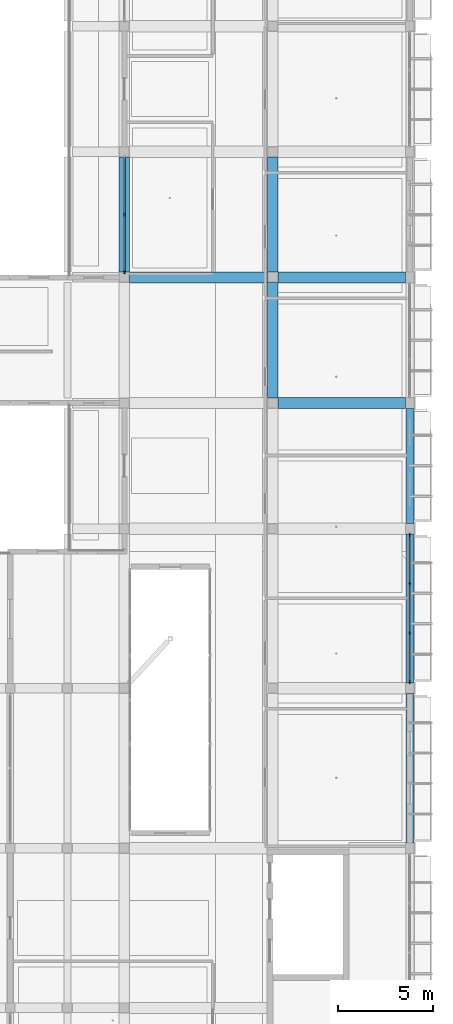
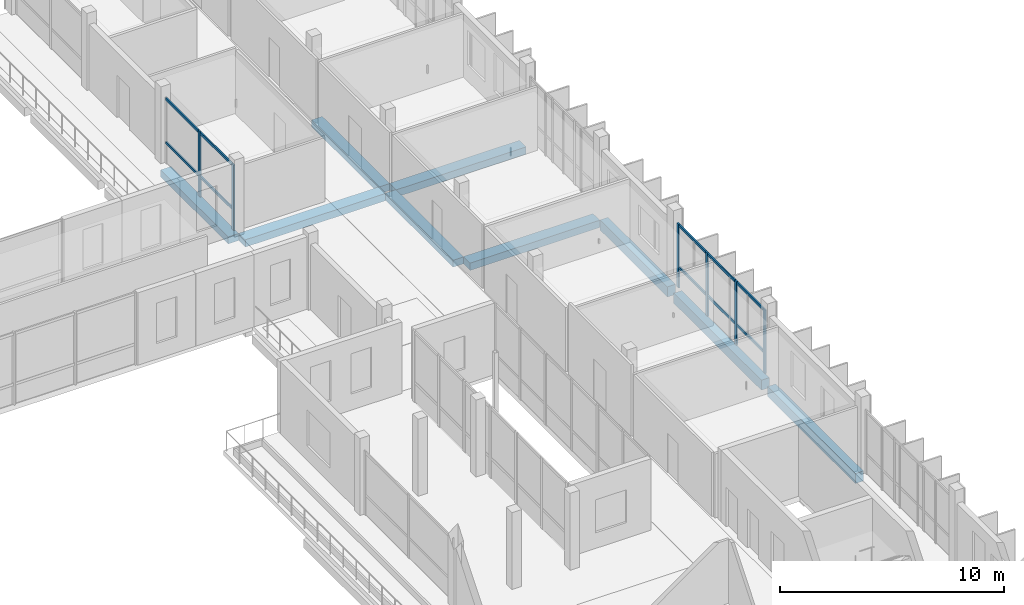
# One storey, part 27 of 85: 10 members, 9 beams, 2 elements without a shape of their own.
"""IFC4 building model written with IfcOpenShell, lengths in metres."""

import ifcopenshell
import ifcopenshell.guid

model = None  # the IFC model being written
_history = None  # IfcOwnerHistory: only IFC2X3 demands one
_inside = {}  # id of a spatial element -> (the spatial element, [elements in it])
_under = {}  # id of a project, library or spatial element -> (it, [spatial elements below it])
_declared = {}  # id of a project -> (the project, [libraries it declares])
_typed = {}  # id of a type object -> (the type object, [elements of that type])
_made_of = {}  # id of a material, layer set ... -> (it, [elements and type objects made of it])


def new_model(schema):
    """Start an empty IFC model of exactly this schema.

    Asked for "IFC4X3", IfcOpenShell would pick the latest addendum, in which some entities
    have other attributes; the version numbers below select the first issue.
    IFC2X3 requires an IfcOwnerHistory on every rooted entity: one is made here for all.
    """
    global model, _history
    if schema == "IFC4X3":
        model = ifcopenshell.file(schema_version=(4, 3, 0, 0))
    else:
        model = ifcopenshell.file(schema=schema)
    _inside.clear()
    _under.clear()
    _declared.clear()
    _typed.clear()
    _made_of.clear()
    _history = None
    if model.schema == "IFC2X3":
        org = make("IfcOrganization", Name="unknown")
        user = make(
            "IfcPersonAndOrganization",
            ThePerson=make("IfcPerson", FamilyName="unknown"),
            TheOrganization=org,
        )
        app = make(
            "IfcApplication",
            ApplicationDeveloper=org,
            Version="unknown",
            ApplicationFullName="unknown",
            ApplicationIdentifier="unknown",
        )
        _history = make(
            "IfcOwnerHistory",
            OwningUser=user,
            OwningApplication=app,
            ChangeAction="ADDED",
            CreationDate=0,
        )
    return model


def make(cls, **values):
    """One entity of the class cls with the attributes given. An attribute that is None is left unset."""
    return model.create_entity(
        cls, **{name: value for name, value in values.items() if value is not None}
    )


def rooted(cls, **values):
    """An entity with a GlobalId (a new one), such as an element, a storey or a relation."""
    return make(cls, GlobalId=ifcopenshell.guid.new(), OwnerHistory=_history, **values)


def si_unit(unit_type, name, prefix=None):
    """IfcSIUnit, for example si_unit("LENGTHUNIT", "METRE", prefix="MILLI")."""
    return make("IfcSIUnit", UnitType=unit_type, Prefix=prefix, Name=name)


def derived_unit(unit_type, elements):
    """IfcDerivedUnit: a product of units, each with its exponent."""
    return make(
        "IfcDerivedUnit",
        Elements=[
            make("IfcDerivedUnitElement", Unit=unit, Exponent=power)
            for unit, power in elements
        ],
        UnitType=unit_type,
    )


def assignment(units):
    """IfcUnitAssignment: the units of a project."""
    return None if units is None else make("IfcUnitAssignment", Units=units)


def point(xyz):
    """IfcCartesianPoint."""
    return None if xyz is None else make("IfcCartesianPoint", Coordinates=xyz)


def direction(xyz):
    """IfcDirection."""
    return None if xyz is None else make("IfcDirection", DirectionRatios=xyz)


def frame(location, z_axis=None, x_axis=None):
    """IfcAxis2Placement3D, a coordinate frame: its origin and axes. An axis left out is left unset."""
    return make(
        "IfcAxis2Placement3D",
        Location=point(location),
        Axis=direction(z_axis),
        RefDirection=direction(x_axis),
    )


def frame_2d(location, x_axis=None):
    """IfcAxis2Placement2D, a coordinate frame in the plane: its origin and x axis."""
    return make(
        "IfcAxis2Placement2D", Location=point(location), RefDirection=direction(x_axis)
    )


def origin():
    """The frame at (0, 0, 0) with its axes left unset."""
    return frame((0.0, 0.0, 0.0))


def origin_2d():
    """The frame at (0, 0) in the plane with its x axis left unset."""
    return frame_2d((0.0, 0.0))


def place(relative_to, where):
    """IfcLocalPlacement: puts the frame where relative to a parent placement (None: the world)."""
    return make(
        "IfcLocalPlacement", PlacementRelTo=relative_to, RelativePlacement=where
    )


def context(
    kind, dimensions, precision=None, world=None, true_north=None, identifier=None
):
    """IfcGeometricRepresentationContext, for example the 3D "Model" context."""
    return make(
        "IfcGeometricRepresentationContext",
        ContextIdentifier=identifier,
        ContextType=kind,
        CoordinateSpaceDimension=dimensions,
        Precision=precision,
        WorldCoordinateSystem=world,
        TrueNorth=true_north,
    )


def subcontext(parent, identifier, kind, view, scale=None):
    """IfcGeometricRepresentationSubContext, for example "Body" below "Model"."""
    return make(
        "IfcGeometricRepresentationSubContext",
        ContextIdentifier=identifier,
        ContextType=kind,
        ParentContext=parent,
        TargetScale=scale,
        TargetView=view,
    )


def project(units=None, contexts=None):
    """IfcProject with its units and contexts."""
    return rooted(
        "IfcProject",
        Name="project",
        RepresentationContexts=contexts,
        UnitsInContext=assignment(units),
    )


def spatial(cls, under=None, at=None, **own):
    """A site, building, storey or space (cls), placed at a placement, below another one or the project."""
    s = rooted(cls, ObjectPlacement=at, **own)
    if under is not None:
        _under.setdefault(under.id(), (under, []))[1].append(s)
    return s


def profile(cls, at=None, kind="AREA", **sizes):
    """A parametric profile (cls). Its sizes go by their IFC names, for example OverallWidth=200.0."""
    return make(cls, ProfileType=kind, Position=at, **sizes)


def rectangle(**sizes):
    """IfcRectangleProfileDef."""
    return profile("IfcRectangleProfileDef", **sizes)


def extrude(swept, where, along, depth):
    """IfcExtrudedAreaSolid: the profile swept, set in the frame where, extruded along a direction by depth."""
    return make(
        "IfcExtrudedAreaSolid",
        SweptArea=swept,
        Position=where,
        ExtrudedDirection=direction(along),
        Depth=depth,
    )


def shape(context_of_items, identifier, shape_type, items):
    """IfcShapeRepresentation: the items that make up one representation, for example the "Body"."""
    return make(
        "IfcShapeRepresentation",
        ContextOfItems=context_of_items,
        RepresentationIdentifier=identifier,
        RepresentationType=shape_type,
        Items=items,
    )


def material(Name=None, Category=None):
    """IfcMaterial."""
    return make("IfcMaterial", Name=Name, Category=Category)


def material_profile(
    of_material, cross_section, Name=None, Category=None, Priority=None
):
    """IfcMaterialProfile: a cross section and its material."""
    return make(
        "IfcMaterialProfile",
        Name=Name,
        Material=of_material,
        Profile=cross_section,
        Priority=Priority,
        Category=Category,
    )


def profile_set(profiles, Name=None, composite=None):
    """IfcMaterialProfileSet."""
    return make(
        "IfcMaterialProfileSet",
        Name=Name,
        MaterialProfiles=profiles,
        CompositeProfile=composite,
    )


def made_of(thing, what):
    """Note that an element or type object is made of a material, layer set ...; save() writes the relation."""
    if what is not None:
        _made_of.setdefault(what.id(), (what, []))[1].append(thing)
    return thing


def type_object(cls, material=None, **own):
    """A type object (cls), such as IfcWallType, which elements share."""
    return made_of(rooted(cls, **own), material)


def element(
    cls,
    number,
    at=None,
    inside=None,
    cuts=None,
    type_object=None,
    material=None,
    context=None,
    identifier="Body",
    shape_type=None,
    held_by="IfcProductDefinitionShape",
    body=None,
    shapes=None,
    **own,
):
    """One element of the class cls, such as IfcWall. Its Tag is "e" and its number.

    at: its placement. inside: the storey or other place that contains it. cuts: it is an
    opening in that element (IfcRelVoidsElement). A single representation is given by context,
    identifier, shape_type and body (its items); several are given by shapes. held_by: the class
    of the entity that holds the representations. save() writes the other relations.
    """
    e = rooted(cls, Tag="e%d" % number, ObjectPlacement=at, **own)
    if body is not None:
        shapes = [shape(context, identifier, shape_type, body)]
    if shapes is not None:
        e.Representation = make(held_by, Representations=shapes)
    if inside is not None:
        _inside.setdefault(inside.id(), (inside, []))[1].append(e)
    if cuts is not None:
        rooted(
            "IfcRelVoidsElement", RelatingBuildingElement=cuts, RelatedOpeningElement=e
        )
    if type_object is not None:
        _typed.setdefault(type_object.id(), (type_object, []))[1].append(e)
    return made_of(e, material)


def aggregate(whole, parts):
    """IfcRelAggregates: a whole, such as a stair, and the parts it consists of."""
    return rooted("IfcRelAggregates", RelatingObject=whole, RelatedObjects=parts)


def save(model, path):
    """Write the relations noted so far, then the file.

    IfcRelAggregates (storeys below a building ...), IfcRelContainedInSpatialStructure (elements
    in a storey), IfcRelDefinesByType, IfcRelAssociatesMaterial and IfcRelDeclares: one each for
    every whole, place, type object, material and project.
    """
    for whole, parts in _under.values():
        aggregate(whole, parts)
    for where, things in _inside.values():
        rooted(
            "IfcRelContainedInSpatialStructure",
            RelatedElements=things,
            RelatingStructure=where,
        )
    for kind, things in _typed.values():
        rooted("IfcRelDefinesByType", RelatedObjects=things, RelatingType=kind)
    for what, things in _made_of.values():
        rooted("IfcRelAssociatesMaterial", RelatedObjects=things, RelatingMaterial=what)
    for by, libraries in _declared.values():
        rooted("IfcRelDeclares", RelatingContext=by, RelatedDefinitions=libraries)
    model.write(path)


model = new_model("IFC4")

# Units and contexts
model_context = context("Model", 3, precision=1e-05, world=origin(), true_north=direction((0.0, 1.0)))
body_context = subcontext(model_context, "Body", "Model", "MODEL_VIEW")
ifc_project = project(units=[si_unit("LENGTHUNIT", "METRE"), si_unit("AREAUNIT", "SQUARE_METRE"), si_unit("VOLUMEUNIT", "CUBIC_METRE"), si_unit("PLANEANGLEUNIT", "RADIAN"), si_unit("MASSUNIT", "GRAM", prefix="KILO"), derived_unit("THERMALTRANSMITTANCEUNIT", [(si_unit("POWERUNIT", "WATT"), 1), (si_unit("LENGTHUNIT", "METRE"), -2), (si_unit("THERMODYNAMICTEMPERATUREUNIT", "KELVIN"), -1)])], contexts=[model_context])

# Site, building, storey
site_placement = place(None, origin())
site = spatial("IfcSite", under=ifc_project, at=site_placement, CompositionType="ELEMENT")
building_placement = place(site_placement, origin())
building = spatial("IfcBuilding", under=site, at=building_placement, Name="Braskholm Square Health Centre", CompositionType="ELEMENT")
storey_placement = place(building_placement, frame((0.0, 0.0, 9.300048828125)))
storey = spatial("IfcBuildingStorey", under=building, at=storey_placement, Name="L03", CompositionType="ELEMENT", Elevation=9.300048828125)

# Curtain wall, members
ifc_material_1 = material(Name="Low-E triple insulating glass (VLT 0.64)", Category="glass")
curtain_wall_type = type_object("IfcCurtainWallType", Name="UnitisedCurtainWall6200x3650", PredefinedType="NOTDEFINED", material=ifc_material_1)
curtain_wall_1_placement = place(storey_placement, origin())
curtain_wall_1 = element("IfcCurtainWall", 1, at=curtain_wall_1_placement, inside=storey, type_object=curtain_wall_type, Name="East Outer unitised curtain wall CW-L03-0065", PredefinedType="NOTDEFINED")
ifc_material_2 = material(Name="Architectural bronze anodised aluminium", Category="aluminium")
ifc_material_profile_1 = material_profile(ifc_material_2, rectangle(XDim=0.074951171875, YDim=0.179931640625, at=origin_2d()), Name="ALU-75X180")
ifc_profile_set_1 = profile_set([ifc_material_profile_1], Name="Architectural bronze anodised aluminium")
member_type_1 = type_object("IfcMemberType", Name="CurtainWallMullion75x180", PredefinedType="MULLION", material=ifc_profile_set_1)
member_1_placement = place(storey_placement, frame((163.800048828125, 72.536865234375, 0.0), z_axis=(0.0, 0.0, 1.0), x_axis=(1.0, 0.0, 0.0)))
member_1 = element("IfcMember", 2, at=member_1_placement, type_object=member_type_1, Name="CW-L03-0065 vertical mullion 1", PredefinedType="MULLION", context=body_context, shape_type="SweptSolid", body=[
    extrude(rectangle(XDim=0.074951171875, YDim=0.179931640625, at=origin_2d()), origin(), (0.0, 0.0, 1.0), 3.47998046875),
])
member_2_placement = place(storey_placement, frame((163.800048828125, 75.0966796875, 0.0), z_axis=(0.0, 0.0, 1.0), x_axis=(1.0, 0.0, 0.0)))
member_2 = element("IfcMember", 3, at=member_2_placement, type_object=member_type_1, Name="CW-L03-0065 vertical mullion 2", PredefinedType="MULLION", context=body_context, shape_type="SweptSolid", body=[
    extrude(rectangle(XDim=0.074951171875, YDim=0.179931640625, at=origin_2d()), origin(), (0.0, 0.0, 1.0), 3.47998046875),
])
member_3_placement = place(storey_placement, frame((163.800048828125, 77.703369140625, 0.0), z_axis=(0.0, 0.0, 1.0), x_axis=(1.0, 0.0, 0.0)))
member_3 = element("IfcMember", 4, at=member_3_placement, type_object=member_type_1, Name="CW-L03-0065 vertical mullion 3", PredefinedType="MULLION", context=body_context, shape_type="SweptSolid", body=[
    extrude(rectangle(XDim=0.074951171875, YDim=0.179931640625, at=origin_2d()), origin(), (0.0, 0.0, 1.0), 3.47998046875),
])
member_4_placement = place(storey_placement, frame((163.800048828125, 80.26318359375, 0.0), z_axis=(0.0, 0.0, 1.0), x_axis=(1.0, 0.0, 0.0)))
member_4 = element("IfcMember", 5, at=member_4_placement, type_object=member_type_1, Name="CW-L03-0065 vertical mullion 4", PredefinedType="MULLION", context=body_context, shape_type="SweptSolid", body=[
    extrude(rectangle(XDim=0.074951171875, YDim=0.179931640625, at=origin_2d()), origin(), (0.0, 0.0, 1.0), 3.47998046875),
])

curtain_wall_2_placement = place(storey_placement, origin())
curtain_wall_2 = element("IfcCurtainWall", 6, at=curtain_wall_2_placement, inside=storey, type_object=curtain_wall_type, Name="East Valley unitised curtain wall CW-L03-0127", PredefinedType="NOTDEFINED")
member_5_placement = place(storey_placement, frame((148.800048828125, 97.10009765625, 0.0), z_axis=(0.0, 0.0, 1.0), x_axis=(1.0, 0.0, 0.0)))
member_5 = element("IfcMember", 7, at=member_5_placement, type_object=member_type_1, Name="CW-L03-0127 vertical mullion 2", PredefinedType="MULLION", context=body_context, shape_type="SweptSolid", body=[
    extrude(rectangle(XDim=0.074951171875, YDim=0.179931640625, at=origin_2d()), origin(), (0.0, 0.0, 1.0), 3.570068359375),
])
member_6_placement = place(storey_placement, frame((148.800048828125, 94.096435546875, 0.0), z_axis=(0.0, 0.0, 1.0), x_axis=(1.0, 0.0, 0.0)))
member_6 = element("IfcMember", 8, at=member_6_placement, type_object=member_type_1, Name="CW-L03-0127 vertical mullion 3", PredefinedType="MULLION", context=body_context, shape_type="SweptSolid", body=[
    extrude(rectangle(XDim=0.074951171875, YDim=0.179931640625, at=origin_2d()), origin(), (0.0, 0.0, 1.0), 3.570068359375),
])

# Member
ifc_material_profile_2 = material_profile(ifc_material_2, rectangle(XDim=0.074951171875, YDim=0.139892578125, at=origin_2d()), Name="ALU-75X140")
ifc_profile_set_2 = profile_set([ifc_material_profile_2], Name="Architectural bronze anodised aluminium")
member_type_2 = type_object("IfcMemberType", Name="CurtainWallTransom75x140", PredefinedType="USERDEFINED", material=ifc_profile_set_2)
member_7_placement = place(storey_placement, frame((163.800048828125, 72.534912109375, 1.119873046875), z_axis=(0.0, 1.0, 0.0), x_axis=(-1.0, 0.0, 0.0)))
member_7 = element("IfcMember", 9, at=member_7_placement, type_object=member_type_2, Name="CW-L03-0065 horizontal transom 1", ObjectType="TRANSOM", PredefinedType="USERDEFINED", context=body_context, shape_type="SweptSolid", body=[
    extrude(rectangle(XDim=0.074951171875, YDim=0.139892578125, at=origin_2d()), origin(), (0.0, 0.0, 1.0), 7.72998046875),
])

member_8_placement = place(storey_placement, frame((163.800048828125, 72.534912109375, 3.409912109375), z_axis=(0.0, 1.0, 0.0), x_axis=(-1.0, 0.0, 0.0)))
member_8 = element("IfcMember", 10, at=member_8_placement, type_object=member_type_2, Name="CW-L03-0065 horizontal transom 2", ObjectType="TRANSOM", PredefinedType="USERDEFINED", context=body_context, shape_type="SweptSolid", body=[
    extrude(rectangle(XDim=0.074951171875, YDim=0.139892578125, at=origin_2d()), origin(), (0.0, 0.0, 1.0), 7.72998046875),
])

aggregate(curtain_wall_1, [member_1, member_2, member_3, member_4, member_7, member_8])

member_9_placement = place(storey_placement, frame((148.800048828125, 100.094970703125, 1.119873046875), z_axis=(0.0, -1.0, 0.0), x_axis=(1.0, 0.0, 0.0)))
member_9 = element("IfcMember", 11, at=member_9_placement, type_object=member_type_2, Name="CW-L03-0127 horizontal transom 1", ObjectType="TRANSOM", PredefinedType="USERDEFINED", context=body_context, shape_type="SweptSolid", body=[
    extrude(rectangle(XDim=0.074951171875, YDim=0.139892578125, at=origin_2d()), origin(), (0.0, 0.0, 1.0), 5.989990234375),
])

member_10_placement = place(storey_placement, frame((148.800048828125, 100.094970703125, 3.5), z_axis=(0.0, -1.0, 0.0), x_axis=(1.0, 0.0, 0.0)))
member_10 = element("IfcMember", 12, at=member_10_placement, type_object=member_type_2, Name="CW-L03-0127 horizontal transom 2", ObjectType="TRANSOM", PredefinedType="USERDEFINED", context=body_context, shape_type="SweptSolid", body=[
    extrude(rectangle(XDim=0.074951171875, YDim=0.139892578125, at=origin_2d()), origin(), (0.0, 0.0, 1.0), 5.989990234375),
])

aggregate(curtain_wall_2, [member_5, member_6, member_9, member_10])

# Beams
ifc_material_3 = material(Name="Concrete C35/45 (f'c = 35 MPa)", Category="concrete")
ifc_material_profile_3 = material_profile(ifc_material_3, rectangle(XDim=0.550048828125, YDim=0.3798828125, at=origin_2d()), Name="RCB-550X380")
ifc_profile_set_3 = profile_set([ifc_material_profile_3], Name="Concrete C35/45 (f'c = 35 MPa)")
beam_type_1 = type_object("IfcBeamType", Name="PrimaryBandBeam550x380", PredefinedType="BEAM", material=ifc_profile_set_3)
beam_1_placement = place(storey_placement, frame((148.800048828125, 94.074951171875, -0.489990234375), z_axis=(0.0, 1.0, 0.0), x_axis=(-1.0, 0.0, 0.0)))
element("IfcBeam", 13, at=beam_1_placement, inside=storey, type_object=beam_type_1, Name="Beam 20/P-Q L03", PredefinedType="BEAM", context=body_context, shape_type="SweptSolid", body=[
    extrude(rectangle(XDim=0.550048828125, YDim=0.3798828125, at=origin_2d()), origin(), (0.0, 0.0, 1.0), 6.050048828125),
])
beam_2_placement = place(storey_placement, frame((156.60009765625, 87.47509765625, -0.489990234375), z_axis=(0.0, 1.0, 0.0), x_axis=(-1.0, 0.0, 0.0)))
element("IfcBeam", 14, at=beam_2_placement, inside=storey, type_object=beam_type_1, Name="Beam 21/N-P L03", PredefinedType="BEAM", context=body_context, shape_type="SweptSolid", body=[
    extrude(rectangle(XDim=0.550048828125, YDim=0.3798828125, at=origin_2d()), origin(), (0.0, 0.0, 1.0), 6.0498046875),
])
beam_3_placement = place(storey_placement, frame((156.60009765625, 94.074951171875, -0.489990234375), z_axis=(0.0, 1.0, 0.0), x_axis=(-1.0, 0.0, 0.0)))
element("IfcBeam", 15, at=beam_3_placement, inside=storey, type_object=beam_type_1, Name="Beam 21/P-Q L03", PredefinedType="BEAM", context=body_context, shape_type="SweptSolid", body=[
    extrude(rectangle(XDim=0.550048828125, YDim=0.3798828125, at=origin_2d()), origin(), (0.0, 0.0, 1.0), 6.050048828125),
])
ifc_material_profile_4 = material_profile(ifc_material_3, rectangle(XDim=0.60009765625, YDim=0.39990234375, at=origin_2d()), Name="RCB-600X400")
ifc_profile_set_4 = profile_set([ifc_material_profile_4], Name="Concrete C35/45 (f'c = 35 MPa)")
beam_type_2 = type_object("IfcBeamType", Name="PrimaryBandBeam600x400", PredefinedType="BEAM", material=ifc_profile_set_4)
beam_4_placement = place(storey_placement, frame((156.875, 87.199951171875, -0.5), z_axis=(1.0, 0.0, 0.0), x_axis=(0.0, 1.0, 0.0)))
element("IfcBeam", 16, at=beam_4_placement, inside=storey, type_object=beam_type_2, Name="Beam 21-22/N L03", PredefinedType="BEAM", context=body_context, shape_type="SweptSolid", body=[
    extrude(rectangle(XDim=0.60009765625, YDim=0.39990234375, at=origin_2d()), origin(), (0.0, 0.0, 1.0), 6.695068359375),
])
beam_5_placement = place(storey_placement, frame((149.074951171875, 93.800048828125, -0.5), z_axis=(1.0, 0.0, 0.0), x_axis=(0.0, 1.0, 0.0)))
element("IfcBeam", 17, at=beam_5_placement, inside=storey, type_object=beam_type_2, Name="Beam 20-21/P L03", PredefinedType="BEAM", context=body_context, shape_type="SweptSolid", body=[
    extrude(rectangle(XDim=0.60009765625, YDim=0.39990234375, at=origin_2d()), origin(), (0.0, 0.0, 1.0), 7.25),
])
beam_6_placement = place(storey_placement, frame((156.875, 93.800048828125, -0.5), z_axis=(1.0, 0.0, 0.0), x_axis=(0.0, 1.0, 0.0)))
element("IfcBeam", 18, at=beam_6_placement, inside=storey, type_object=beam_type_2, Name="Beam 21-22/P L03", PredefinedType="BEAM", context=body_context, shape_type="SweptSolid", body=[
    extrude(rectangle(XDim=0.60009765625, YDim=0.39990234375, at=origin_2d()), origin(), (0.0, 0.0, 1.0), 6.695068359375),
])
ifc_material_4 = material(Name="Precast concrete C40/50 architectural white", Category="concrete")
ifc_material_profile_5 = material_profile(ifc_material_4, rectangle(XDim=0.419921875, YDim=0.550048828125, at=origin_2d()), Name="RCB-420X550")
ifc_profile_set_5 = profile_set([ifc_material_profile_5], Name="Precast concrete C40/50 architectural white")
beam_type_3 = type_object("IfcBeamType", Name="SpandrelPrecastLedge420x550", PredefinedType="SPANDREL", material=ifc_profile_set_5)
beam_7_placement = place(storey_placement, frame((163.800048828125, 64.080078125, -0.574951171875), z_axis=(0.0, 1.0, 0.0), x_axis=(-1.0, 0.0, 0.0)))
element("IfcBeam", 19, at=beam_7_placement, inside=storey, type_object=beam_type_3, Name="Beam 22/K-L L03", PredefinedType="SPANDREL", context=body_context, shape_type="SweptSolid", body=[
    extrude(rectangle(XDim=0.419921875, YDim=0.550048828125, at=origin_2d()), origin(), (0.0, 0.0, 1.0), 7.83984375),
])
beam_8_placement = place(storey_placement, frame((163.800048828125, 72.47998046875, -0.574951171875), z_axis=(0.0, 1.0, 0.0), x_axis=(-1.0, 0.0, 0.0)))
element("IfcBeam", 20, at=beam_8_placement, inside=storey, type_object=beam_type_3, Name="Beam 22/L-M L03", PredefinedType="SPANDREL", context=body_context, shape_type="SweptSolid", body=[
    extrude(rectangle(XDim=0.419921875, YDim=0.550048828125, at=origin_2d()), origin(), (0.0, 0.0, 1.0), 7.840087890625),
])
beam_9_placement = place(storey_placement, frame((163.800048828125, 80.8798828125, -0.574951171875), z_axis=(0.0, 1.0, 0.0), x_axis=(-1.0, 0.0, 0.0)))
element("IfcBeam", 21, at=beam_9_placement, inside=storey, type_object=beam_type_3, Name="Beam 22/M-N L03", PredefinedType="SPANDREL", context=body_context, shape_type="SweptSolid", body=[
    extrude(rectangle(XDim=0.419921875, YDim=0.550048828125, at=origin_2d()), origin(), (0.0, 0.0, 1.0), 6.0400390625),
])

save(model, "model.ifc")
